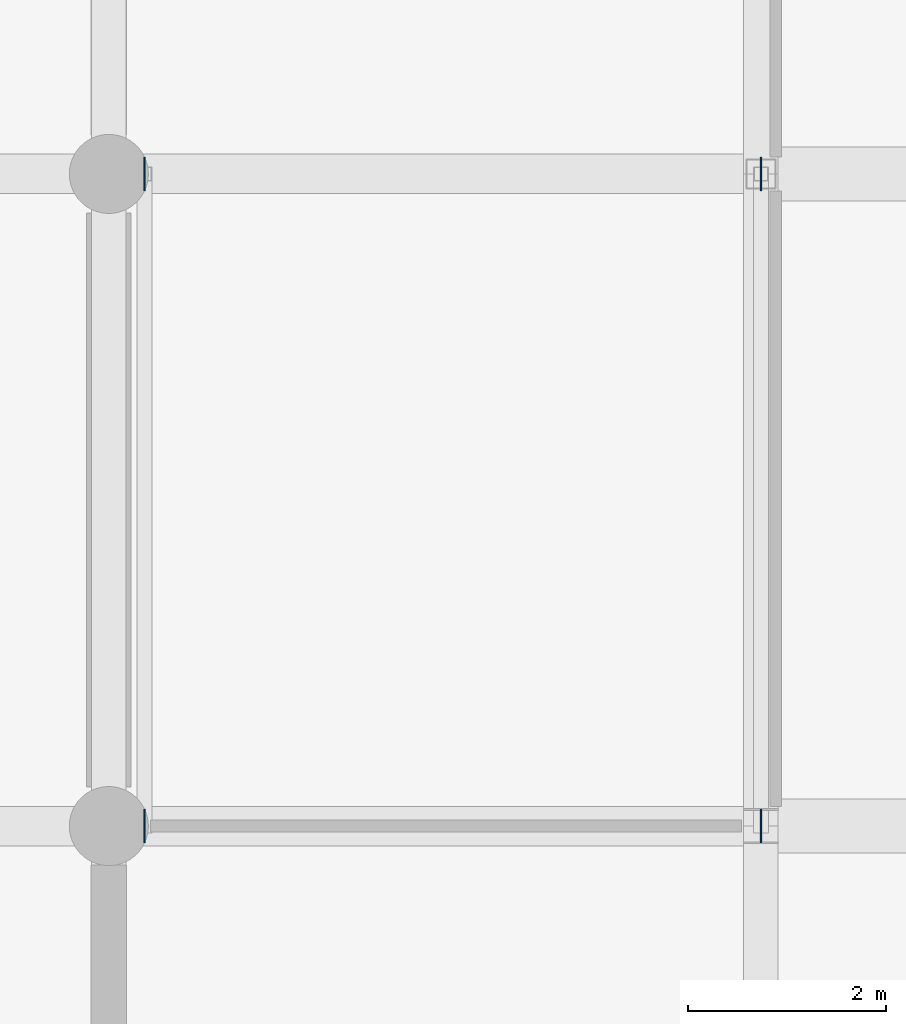
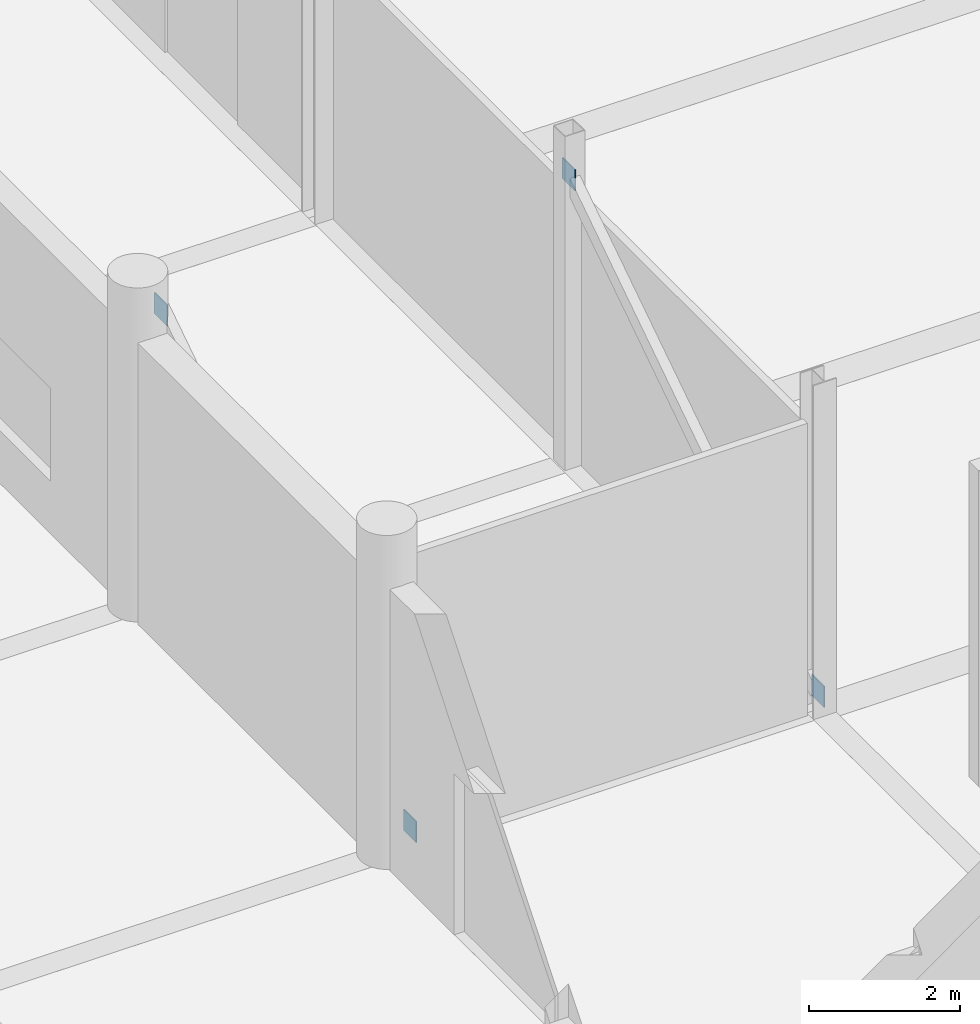
# One storey, part 40 of 72: 4 plates.
"""IFC4 building model written with IfcOpenShell, lengths in metres."""

from ifc_helpers import new_model, si_unit, direction, frame, origin, origin_2d, place, context, subcontext, project, spatial, rectangle, extrude, material, layer, layer_set, type_object, element, save


model = new_model("IFC4")

# Units and contexts
model_context = context("Model", 3, precision=1e-05, world=origin(), true_north=direction((0.0, 1.0)))
body_context = subcontext(model_context, "Body", "Model", "MODEL_VIEW")
ifc_project = project(units=[si_unit("LENGTHUNIT", "METRE"), si_unit("AREAUNIT", "SQUARE_METRE"), si_unit("VOLUMEUNIT", "CUBIC_METRE"), si_unit("PLANEANGLEUNIT", "RADIAN"), si_unit("MASSUNIT", "GRAM", prefix="KILO")], contexts=[model_context])

# Site, building, storey
site_placement = place(None, origin())
site = spatial("IfcSite", under=ifc_project, at=site_placement, CompositionType="ELEMENT")
building_placement = place(site_placement, origin())
building = spatial("IfcBuilding", under=site, at=building_placement, Name="Dornvale Research Institute", CompositionType="ELEMENT")
storey_placement = place(building_placement, origin())
storey = spatial("IfcBuildingStorey", under=building, at=storey_placement, Name="L00", CompositionType="ELEMENT", Elevation=0.0)

# Plates
ifc_material = material(Name="Steel ASTM A572 Grade 50", Category="steel")
ifc_layer = layer(ifc_material, 0.01611328125)
ifc_layer_set = layer_set([ifc_layer], Name="Steel ASTM A572 Grade 50")
plate_type = type_object("IfcPlateType", Name="SheetPlate_Gusset_16", PredefinedType="SHEET", material=ifc_layer_set)
for number, where, z_axis, x_axis, name in (
    (1, (39.9599609375, 46.199951171875, 0.1298828125), (0.0, 0.0, 1.0), (0.0, 1.0, 0.0), "HSS brace node gusset and cap plate ND-061"),
    (2, (39.9599609375, 52.800048828125, 4.47998046875), (0.0, 0.0, 1.0), (0.0, 1.0, 0.0), "HSS brace node gusset and cap plate ND-062"),
    (3, (46.199951171875, 46.199951171875, 0.1298828125), (0.0, 0.0, 1.0), (0.0, 1.0, 0.0), "HSS brace node gusset and cap plate ND-069"),
    (4, (46.199951171875, 52.800048828125, 4.47998046875), (0.0, 0.0, 1.0), (0.0, 1.0, 0.0), "HSS brace node gusset and cap plate ND-070"),
):
    element("IfcPlate", number, at=place(storey_placement, frame(where, z_axis=z_axis, x_axis=x_axis)), inside=storey, type_object=plate_type, Name=name, PredefinedType="SHEET", context=body_context, shape_type="SweptSolid", body=[
        extrude(rectangle(XDim=0.340087890625, YDim=0.01611328125, at=origin_2d()), origin(), (0.0, 0.0, 1.0), 0.340087890625),
    ])

save(model, "model.ifc")
